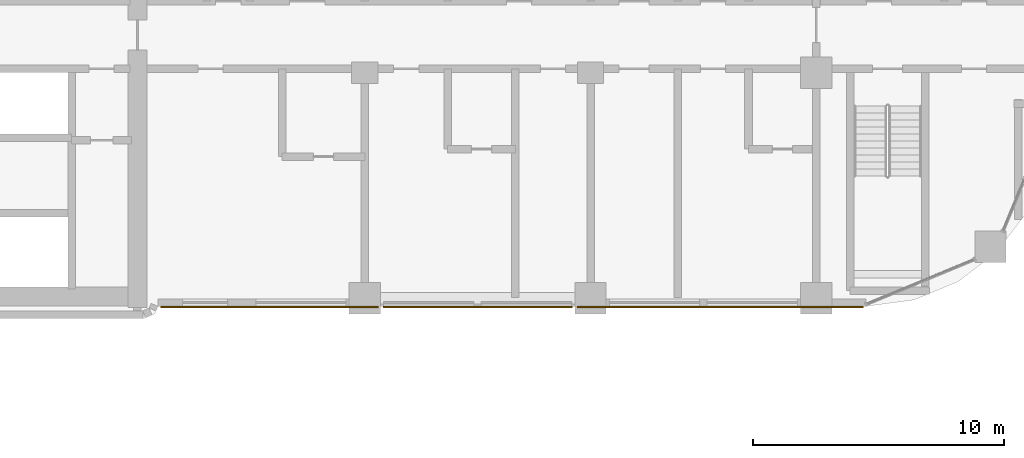
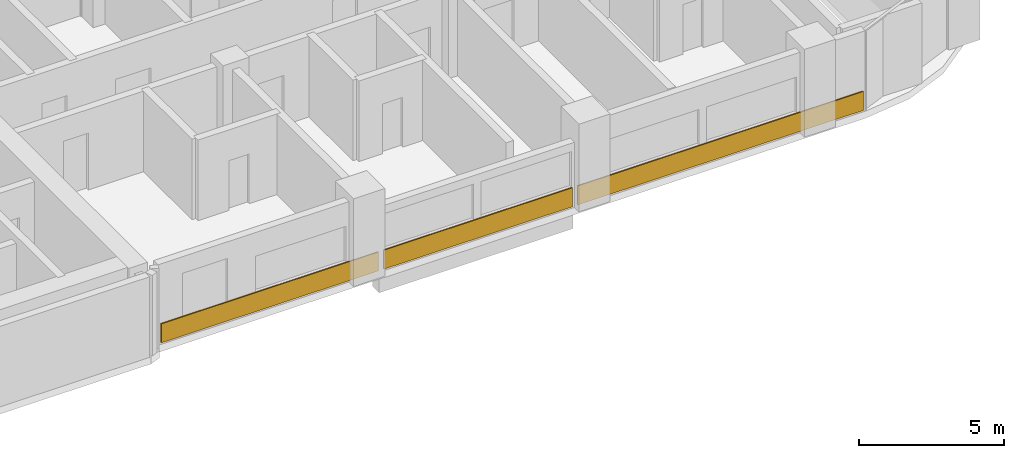
# One storey, part 30 of 33: 3 coverings.
"""IFC4 building model written with IfcOpenShell, lengths in metres."""

from ifc_helpers import new_model, si_unit, direction, frame, origin, origin_2d, place, context, subcontext, project, spatial, rectangle, extrude, material, layer, layer_set, type_object, element, save


model = new_model("IFC4")

# Units and contexts
model_context = context("Model", 3, precision=1e-05, world=origin(), true_north=direction((0.0, 1.0)))
body_context = subcontext(model_context, "Body", "Model", "MODEL_VIEW")
ifc_project = project(units=[si_unit("LENGTHUNIT", "METRE"), si_unit("AREAUNIT", "SQUARE_METRE"), si_unit("VOLUMEUNIT", "CUBIC_METRE"), si_unit("PLANEANGLEUNIT", "RADIAN"), si_unit("MASSUNIT", "GRAM", prefix="KILO")], contexts=[model_context])

# Site, building, storey
site_placement = place(None, origin())
site = spatial("IfcSite", under=ifc_project, at=site_placement, CompositionType="ELEMENT")
building_placement = place(site_placement, origin())
building = spatial("IfcBuilding", under=site, at=building_placement, Name="Ogive Portal Towers", CompositionType="ELEMENT")
storey_placement = place(building_placement, frame((0.0, 0.0, 101.89990234375)))
storey = spatial("IfcBuildingStorey", under=building, at=storey_placement, Name="L24", CompositionType="ELEMENT", Elevation=101.89990234375)

# Coverings
ifc_material = material(Name="Limestone cladding on lightweight block wall", Category="masonry")
ifc_layer = layer(ifc_material, 0.050048828125)
ifc_layer_set = layer_set([ifc_layer], Name="SCREEN PERFORATED STONE")
covering_type = type_object("IfcCoveringType", Name="SCREEN PERFORATED STONE", PredefinedType="CLADDING", material=ifc_layer_set)
covering_1_placement = place(storey_placement, frame((63.687744140625, 21.155029296875, 0.10009765625), z_axis=(0.0, 0.0, 1.0), x_axis=(1.0, 0.0, 0.0)))
element("IfcCovering", 1, at=covering_1_placement, inside=storey, type_object=covering_type, Name="Tracery screen", PredefinedType="CLADDING", context=body_context, shape_type="SweptSolid", body=[
    extrude(rectangle(XDim=8.6748046875, YDim=0.050048828125, at=origin_2d()), origin(), (0.0, 0.0, 1.0), 0.800048828125),
])
covering_2_placement = place(storey_placement, frame((72.0, 21.155029296875, 0.10009765625), z_axis=(0.0, 0.0, 1.0), x_axis=(1.0, 0.0, 0.0)))
element("IfcCovering", 2, at=covering_2_placement, inside=storey, type_object=covering_type, Name="Tracery screen", PredefinedType="CLADDING", context=body_context, shape_type="SweptSolid", body=[
    extrude(rectangle(XDim=7.550048828125, YDim=0.050048828125, at=origin_2d()), origin(), (0.0, 0.0, 1.0), 0.800048828125),
])
covering_3_placement = place(storey_placement, frame((81.679443359375, 21.155029296875, 0.10009765625), z_axis=(0.0, 0.0, 1.0), x_axis=(1.0, 0.0, 0.0)))
element("IfcCovering", 3, at=covering_3_placement, inside=storey, type_object=covering_type, Name="Tracery screen", PredefinedType="CLADDING", context=body_context, shape_type="SweptSolid", body=[
    extrude(rectangle(XDim=11.4091796875, YDim=0.050048828125, at=origin_2d()), origin(), (0.0, 0.0, 1.0), 0.800048828125),
])

save(model, "model.ifc")
